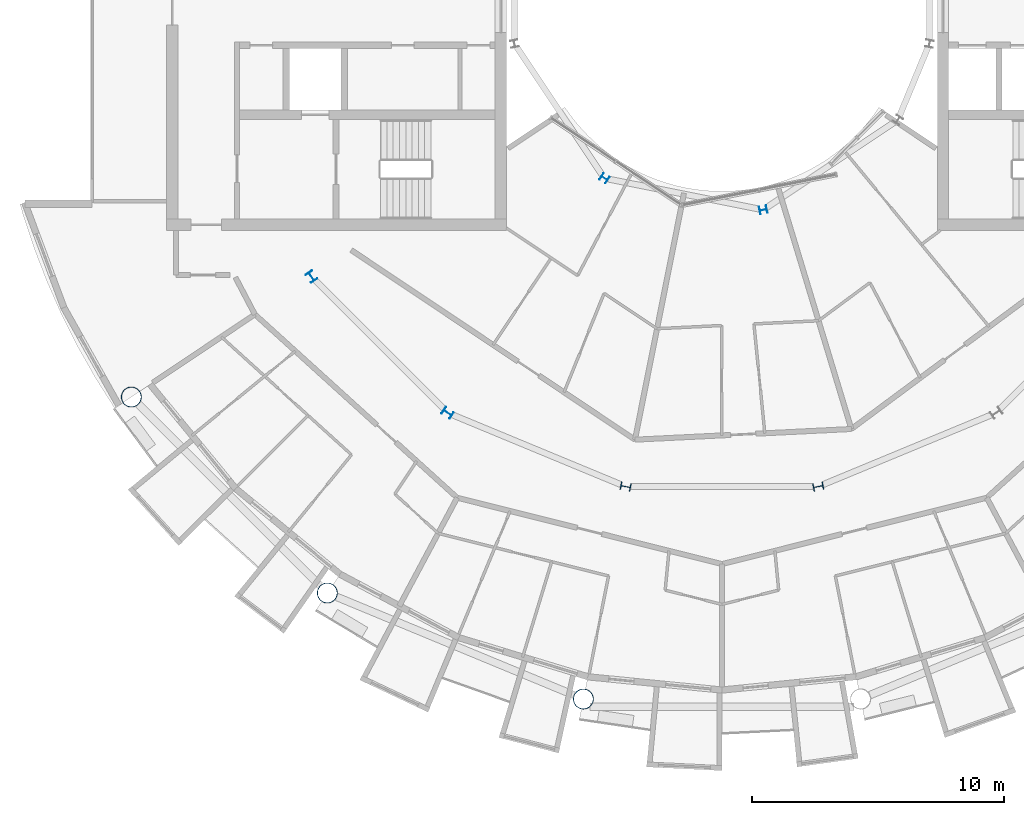
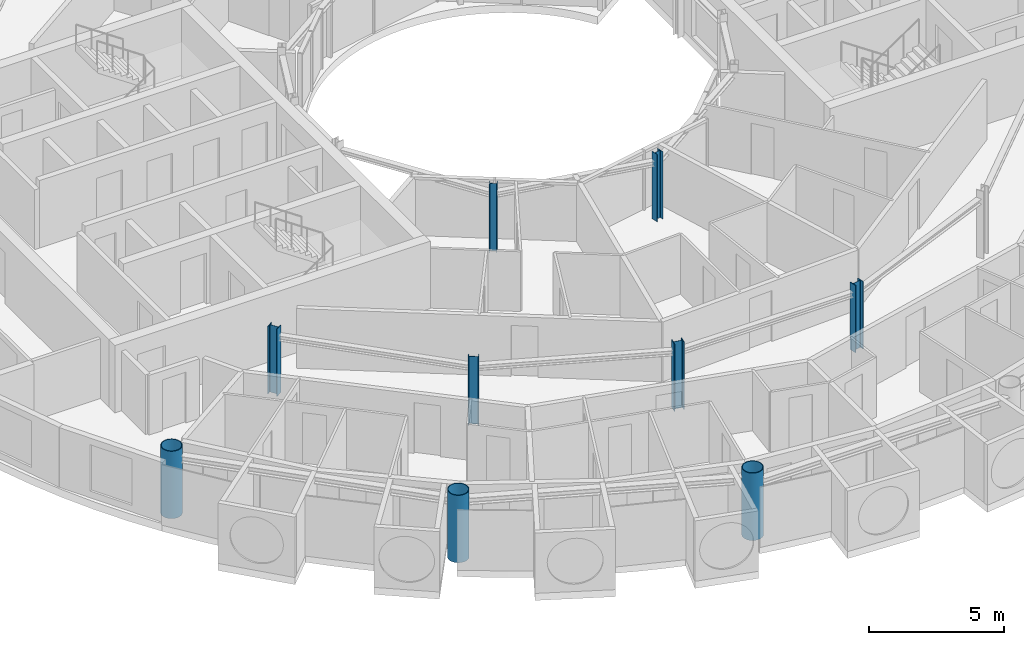
# One storey, part 1 of 29: 9 columns.
"""IFC4 building model written with IfcOpenShell, lengths in metres."""

from ifc_helpers import new_model, si_unit, direction, frame, origin, origin_2d, place, context, subcontext, project, spatial, hollow_circle, i_section, extrude, material, material_profile, profile_set, type_object, element, save


model = new_model("IFC4")

# Units and contexts
model_context = context("Model", 3, precision=1e-05, world=origin(), true_north=direction((0.0, 1.0)))
body_context = subcontext(model_context, "Body", "Model", "MODEL_VIEW")
ifc_project = project(units=[si_unit("LENGTHUNIT", "METRE"), si_unit("AREAUNIT", "SQUARE_METRE"), si_unit("VOLUMEUNIT", "CUBIC_METRE"), si_unit("PLANEANGLEUNIT", "RADIAN"), si_unit("MASSUNIT", "GRAM", prefix="KILO")], contexts=[model_context])

# Site, building, storey
site_placement = place(None, origin())
site = spatial("IfcSite", under=ifc_project, at=site_placement, CompositionType="ELEMENT")
building_placement = place(site_placement, origin())
building = spatial("IfcBuilding", under=site, at=building_placement, Name="Maasbend Ring Residences", CompositionType="ELEMENT")
storey_placement = place(building_placement, frame((0.0, 0.0, 190.199951171875)))
storey = spatial("IfcBuildingStorey", under=building, at=storey_placement, Name="L54", CompositionType="ELEMENT", Elevation=190.199951171875)

# Columns
ifc_material_1 = material(Name="Composite concrete-filled steel tube S460NH / C80/95", Category="concrete")
ifc_material_profile_1 = material_profile(ifc_material_1, hollow_circle(Radius=0.406494140625, WallThickness=0.030029296875, at=origin_2d()), Name="Composite tube column CHS 813x30")
ifc_profile_set_1 = profile_set([ifc_material_profile_1], Name="Composite concrete-filled steel tube S460NH / C80/95")
column_type_1 = type_object("IfcColumnType", Name="Composite tube column CHS 813x30", PredefinedType="COLUMN", material=ifc_profile_set_1)
for number, where, z_axis, x_axis, name in (
    (1, (-23.447509765625, -15.6669921875, 0.0), (0.0, 0.0, 1.0), (1.0, 0.0, 0.0), "Outer column R10"),
    (2, (-15.6669921875, -23.447509765625, 0.0), (0.0, 0.0, 1.0), (1.0, 0.0, 0.0), "Outer column R11"),
    (3, (-5.50146484375, -27.658203125, 0.0), (0.0, 0.0, 1.0), (1.0, 0.0, 0.0), "Outer column R12"),
):
    element("IfcColumn", number, at=place(storey_placement, frame(where, z_axis=z_axis, x_axis=x_axis)), inside=storey, type_object=column_type_1, Name=name, PredefinedType="COLUMN", context=body_context, shape_type="SweptSolid", body=[
        extrude(hollow_circle(Radius=0.406494140625, WallThickness=0.030029296875, at=origin_2d()), origin(), (0.0, 0.0, 1.0), 3.050048828125),
    ])
ifc_material_2 = material(Name="Steel S355J2", Category="steel")
ifc_material_profile_2 = material_profile(ifc_material_2, i_section(OverallWidth=0.300048828125, OverallDepth=0.2900390625, WebThickness=0.008544921875, FlangeThickness=0.013916015625, FilletRadius=0.027099609375, at=origin_2d()), Name="HEA 300")
ifc_profile_set_2 = profile_set([ifc_material_profile_2], Name="Steel S355J2")
column_type_2 = type_object("IfcColumnType", Name="Steel column HEA 300", PredefinedType="COLUMN", material=ifc_profile_set_2)
for number, where, z_axis, x_axis, name in (
    (4, (-4.666748046875, -6.984375, 0.0), (0.0, 0.0, 1.0), (-0.55557023302, -0.831469612303, 0.0), "Well ring column R11"),
    (5, (1.638916015625, -8.238525390625, 0.0), (0.0, 0.0, 1.0), (0.195090322016, -0.980785280403, 0.0), "Well ring column R13"),
):
    element("IfcColumn", number, at=place(storey_placement, frame(where, z_axis=z_axis, x_axis=x_axis)), inside=storey, type_object=column_type_2, Name=name, PredefinedType="COLUMN", context=body_context, shape_type="SweptSolid", body=[
        extrude(i_section(OverallWidth=0.300048828125, OverallDepth=0.2900390625, WebThickness=0.008544921875, FlangeThickness=0.013916015625, FilletRadius=0.027099609375, at=origin_2d()), origin(), (0.0, 0.0, 1.0), 3.050048828125),
    ])
ifc_material_3 = material(Name="Steel S355J2", Category="steel")
ifc_material_profile_3 = material_profile(ifc_material_3, i_section(OverallWidth=0.300048828125, OverallDepth=0.39990234375, WebThickness=0.013427734375, FlangeThickness=0.02392578125, FilletRadius=0.027099609375, at=origin_2d()), Name="HEB 400")
ifc_profile_set_3 = profile_set([ifc_material_profile_3], Name="Steel S355J2")
column_type_3 = type_object("IfcColumnType", Name="Steel column HEB 400", PredefinedType="COLUMN", material=ifc_profile_set_3)
for number, where, z_axis, x_axis, name in (
    (6, (-16.296875, -10.88916015625, 0.0), (0.0, 0.0, 1.0), (-0.831469612303, -0.55557023302, 0.0), "Corridor ring column R10"),
    (7, (-10.88916015625, -16.296875, 0.0), (0.0, 0.0, 1.0), (-0.55557023302, -0.831469612303, 0.0), "Corridor ring column R11"),
    (8, (-3.82373046875, -19.223388671875, 0.0), (0.0, 0.0, 1.0), (-0.195090322016, -0.980785280403, 0.0), "Corridor ring column R12"),
    (9, (3.82373046875, -19.223388671875, 0.0), (0.0, 0.0, 1.0), (0.195090322016, -0.980785280403, 0.0), "Corridor ring column R13"),
):
    element("IfcColumn", number, at=place(storey_placement, frame(where, z_axis=z_axis, x_axis=x_axis)), inside=storey, type_object=column_type_3, Name=name, PredefinedType="COLUMN", context=body_context, shape_type="SweptSolid", body=[
        extrude(i_section(OverallWidth=0.300048828125, OverallDepth=0.39990234375, WebThickness=0.013427734375, FlangeThickness=0.02392578125, FilletRadius=0.027099609375, at=origin_2d()), origin(), (0.0, 0.0, 1.0), 3.050048828125),
    ])

save(model, "model.ifc")
